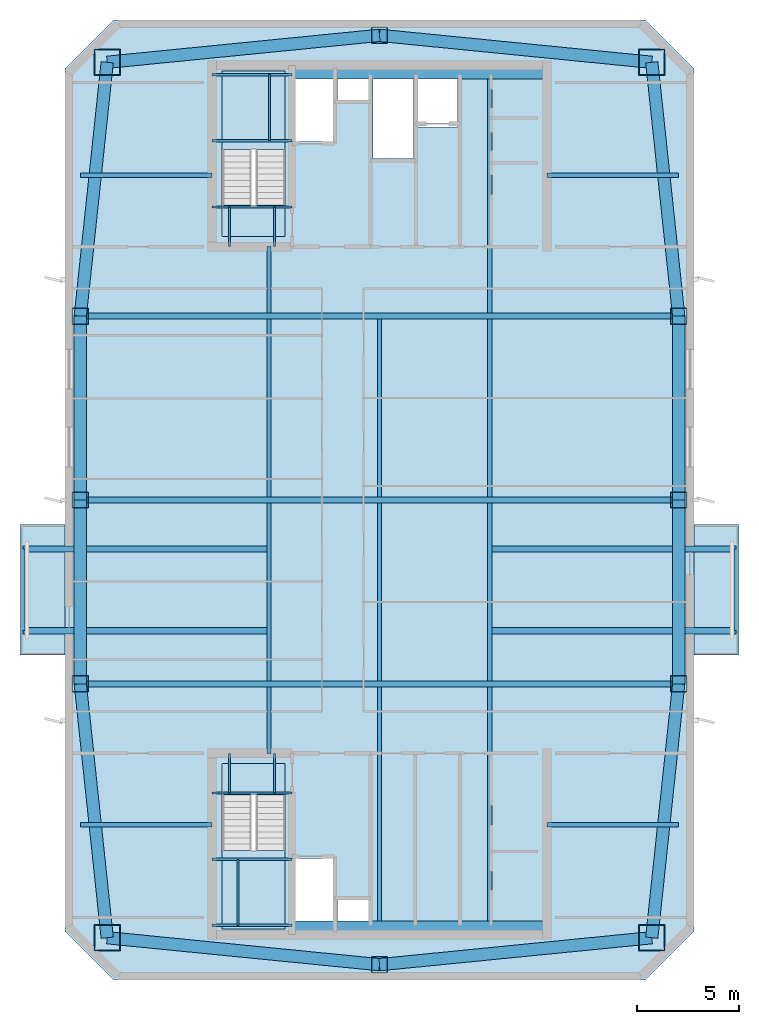
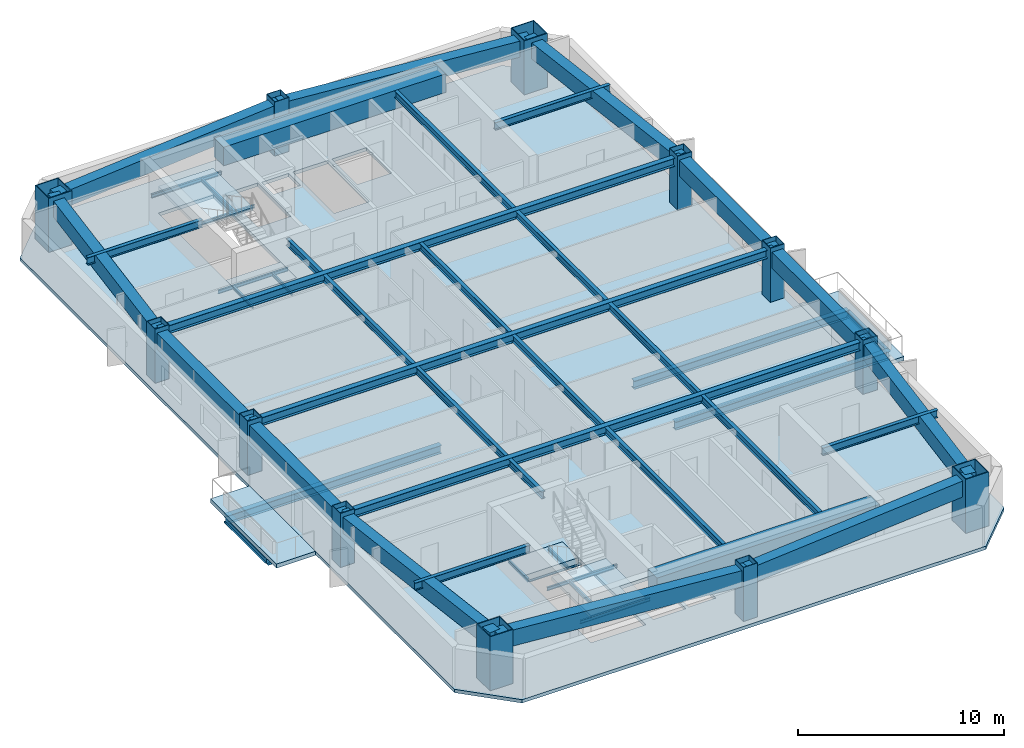
# One storey, part 1 of 7: 50 beams, 12 columns, 7 slabs, 2 elements without a shape of their own.
"""IFC4 building model written with IfcOpenShell, lengths in metres."""

from ifc_helpers import new_model, si_unit, direction, frame, origin, origin_2d, place, context, subcontext, project, spatial, polyline, rectangle, hollow_rectangle, i_section, outline, extrude, material, layer, layer_set, material_profile, profile_set, type_object, element, aggregate, save


model = new_model("IFC4")

# Units and contexts
model_context = context("Model", 3, precision=1e-05, world=origin(), true_north=direction((0.0, 1.0)))
body_context = subcontext(model_context, "Body", "Model", "MODEL_VIEW")
ifc_project = project(units=[si_unit("LENGTHUNIT", "METRE"), si_unit("AREAUNIT", "SQUARE_METRE"), si_unit("VOLUMEUNIT", "CUBIC_METRE"), si_unit("PLANEANGLEUNIT", "RADIAN"), si_unit("MASSUNIT", "GRAM", prefix="KILO")], contexts=[model_context])

# Site, building, storey
site_placement = place(None, origin())
site = spatial("IfcSite", under=ifc_project, at=site_placement, CompositionType="ELEMENT")
building_placement = place(site_placement, origin())
building = spatial("IfcBuilding", under=site, at=building_placement, Name="Qiaolan Cultural Towers", CompositionType="ELEMENT")
storey_placement = place(building_placement, frame((0.0, 0.0, 256.800048828125)))
storey = spatial("IfcBuildingStorey", under=building, at=storey_placement, Name="L70", CompositionType="ELEMENT", Elevation=256.800048828125)

# Columns
ifc_material_1 = material(Name="Steel Q390GJB", Category="steel")
ifc_material_profile_1 = material_profile(ifc_material_1, hollow_rectangle(XDim=1.300048828125, YDim=1.300048828125, WallThickness=0.044921875, at=origin_2d()), Name="BOX1300x1300x45")
ifc_profile_set_1 = profile_set([ifc_material_profile_1], Name="Steel Q390GJB")
column_type_1 = type_object("IfcColumnType", Name="COL-BOX1300x1300x45", PredefinedType="COLUMN", material=ifc_profile_set_1)
for number, where, z_axis, x_axis, name in (
    (1, (16.669921875, 12.570068359375, 0.0), (0.0, 0.0, 1.0), (1.0, 0.0, 0.0), "L70 T1 Perimeter Column MC-SW"),
    (2, (43.330078125, 12.570068359375, 0.0), (0.0, 0.0, 1.0), (1.0, 0.0, 0.0), "L70 T1 Perimeter Column MC-SE"),
    (3, (43.330078125, 55.429931640625, 0.0), (0.0, 0.0, 1.0), (1.0, 0.0, 0.0), "L70 T1 Perimeter Column MC-NE"),
    (4, (16.669921875, 55.429931640625, 0.0), (0.0, 0.0, 1.0), (1.0, 0.0, 0.0), "L70 T1 Perimeter Column MC-NW"),
):
    element("IfcColumn", number, at=place(storey_placement, frame(where, z_axis=z_axis, x_axis=x_axis)), inside=storey, type_object=column_type_1, Name=name, PredefinedType="COLUMN", context=body_context, shape_type="SweptSolid", body=[
        extrude(hollow_rectangle(XDim=1.300048828125, YDim=1.300048828125, WallThickness=0.044921875, at=origin_2d()), origin(), (0.0, 0.0, 1.0), 3.200927734375),
    ])
ifc_material_2 = material(Name="Steel Q355B", Category="steel")
ifc_material_profile_2 = material_profile(ifc_material_2, hollow_rectangle(XDim=0.800048828125, YDim=0.800048828125, WallThickness=0.028076171875, at=origin_2d()), Name="BOX800x800x28")
ifc_profile_set_2 = profile_set([ifc_material_profile_2], Name="Steel Q355B")
column_type_2 = type_object("IfcColumnType", Name="COL-BOX800x800x28", PredefinedType="COLUMN", material=ifc_profile_set_2)
for number, where, z_axis, x_axis, name in (
    (5, (15.35009765625, 25.0, 0.0), (0.0, 0.0, 1.0), (1.0, 0.0, 0.0), "L70 T1 Perimeter Column PC-W1"),
    (6, (15.35009765625, 34.0, 0.0), (0.0, 0.0, 1.0), (1.0, 0.0, 0.0), "L70 T1 Perimeter Column PC-W2"),
    (7, (15.35009765625, 43.0, 0.0), (0.0, 0.0, 1.0), (1.0, 0.0, 0.0), "L70 T1 Perimeter Column PC-W3"),
    (8, (44.64990234375, 25.0, 0.0), (0.0, 0.0, 1.0), (1.0, 0.0, 0.0), "L70 T1 Perimeter Column PC-E1"),
    (9, (44.64990234375, 34.0, 0.0), (0.0, 0.0, 1.0), (1.0, 0.0, 0.0), "L70 T1 Perimeter Column PC-E2"),
    (10, (44.64990234375, 43.0, 0.0), (0.0, 0.0, 1.0), (1.0, 0.0, 0.0), "L70 T1 Perimeter Column PC-E3"),
    (11, (30.0, 11.25, 0.0), (0.0, 0.0, 1.0), (1.0, 0.0, 0.0), "L70 T1 Perimeter Column PC-S0"),
    (12, (30.0, 56.75, 0.0), (0.0, 0.0, 1.0), (1.0, 0.0, 0.0), "L70 T1 Perimeter Column PC-N0"),
):
    element("IfcColumn", number, at=place(storey_placement, frame(where, z_axis=z_axis, x_axis=x_axis)), inside=storey, type_object=column_type_2, Name=name, PredefinedType="COLUMN", context=body_context, shape_type="SweptSolid", body=[
        extrude(hollow_rectangle(XDim=0.800048828125, YDim=0.800048828125, WallThickness=0.028076171875, at=origin_2d()), origin(), (0.0, 0.0, 1.0), 3.200927734375),
    ])

# Beams
ifc_material_3 = material(Name="Steel Q355B", Category="steel")
ifc_material_profile_3 = material_profile(ifc_material_3, i_section(OverallWidth=0.300048828125, OverallDepth=0.488037109375, WebThickness=0.010986328125, FlangeThickness=0.01806640625, at=origin_2d()), Name="HM488x300x11x18")
ifc_profile_set_3 = profile_set([ifc_material_profile_3], Name="Steel Q355B")
beam_type_1 = type_object("IfcBeamType", Name="BM-HM488x300x11x18", PredefinedType="BEAM", material=ifc_profile_set_3)
for number, where, z_axis, x_axis, name in (
    (13, (24.60009765625, 27.60009765625, -0.524169921875), (-1.0, 0.0, 0.0), (0.0, -1.0, 0.0), "L70 T1 Tree Balcony Back-Spanned Bracket Beam"),
    (14, (24.60009765625, 31.60009765625, -0.524169921875), (-1.0, 0.0, 0.0), (0.0, -1.0, 0.0), "L70 T1 Tree Balcony Back-Spanned Bracket Beam"),
    (15, (35.39990234375, 27.60009765625, -0.524169921875), (1.0, 0.0, 0.0), (0.0, 1.0, 0.0), "L70 T1 Tree Balcony Back-Spanned Bracket Beam"),
    (16, (35.39990234375, 31.60009765625, -0.524169921875), (1.0, 0.0, 0.0), (0.0, 1.0, 0.0), "L70 T1 Tree Balcony Back-Spanned Bracket Beam"),
):
    element("IfcBeam", number, at=place(storey_placement, frame(where, z_axis=z_axis, x_axis=x_axis)), inside=storey, type_object=beam_type_1, Name=name, PredefinedType="BEAM", context=body_context, shape_type="SweptSolid", body=[
        extrude(i_section(OverallWidth=0.300048828125, OverallDepth=0.488037109375, WebThickness=0.010986328125, FlangeThickness=0.01806640625, at=origin_2d()), origin(), (0.0, 0.0, 1.0), 12.050048828125),
    ])
for number, where, z_axis, x_axis, name in (
    (17, (15.35009765625, 25.0, 2.696044921875), (1.0, 0.0, 0.0), (0.0, 1.0, 0.0), "L70 T1 Primary Transverse Girder V1"),
    (18, (15.35009765625, 34.0, 2.696044921875), (1.0, 0.0, 0.0), (0.0, 1.0, 0.0), "L70 T1 Primary Transverse Girder V2"),
    (19, (15.35009765625, 43.0, 2.696044921875), (1.0, 0.0, 0.0), (0.0, 1.0, 0.0), "L70 T1 Primary Transverse Girder V3"),
):
    element("IfcBeam", number, at=place(storey_placement, frame(where, z_axis=z_axis, x_axis=x_axis)), inside=storey, type_object=beam_type_1, Name=name, PredefinedType="BEAM", context=body_context, shape_type="SweptSolid", body=[
        extrude(i_section(OverallWidth=0.300048828125, OverallDepth=0.488037109375, WebThickness=0.010986328125, FlangeThickness=0.01806640625, at=origin_2d()), origin(), (0.0, 0.0, 1.0), 29.2998046875),
    ])
ifc_material_4 = material(Name="Steel Q355B", Category="steel")
ifc_material_profile_4 = material_profile(ifc_material_4, i_section(OverallWidth=0.175048828125, OverallDepth=0.35009765625, WebThickness=0.007080078125, FlangeThickness=0.010986328125, at=origin_2d()), Name="HN350x175x7x11")
ifc_profile_set_4 = profile_set([ifc_material_profile_4], Name="Steel Q355B")
beam_type_2 = type_object("IfcBeamType", Name="BM-JST-HN350x175x7x11", PredefinedType="JOIST", material=ifc_profile_set_4)
for number, where, z_axis, x_axis, name in (
    (20, (12.550048828125, 27.60009765625, -0.524169921875), (0.0, 1.0, 0.0), (-1.0, 0.0, 0.0), "L70 T1 Tree Balcony Outer Edge Beam"),
    (21, (47.449951171875, 27.60009765625, -0.524169921875), (0.0, 1.0, 0.0), (-1.0, 0.0, 0.0), "L70 T1 Tree Balcony Outer Edge Beam"),
):
    element("IfcBeam", number, at=place(storey_placement, frame(where, z_axis=z_axis, x_axis=x_axis)), inside=storey, type_object=beam_type_2, Name=name, PredefinedType="JOIST", context=body_context, shape_type="SweptSolid", body=[
        extrude(i_section(OverallWidth=0.175048828125, OverallDepth=0.35009765625, WebThickness=0.007080078125, FlangeThickness=0.010986328125, at=origin_2d()), origin(), (0.0, 0.0, 1.0), 4.0),
    ])
ifc_material_5 = material(Name="Steel Q355B", Category="steel")
ifc_material_profile_5 = material_profile(ifc_material_5, i_section(OverallWidth=0.199951171875, OverallDepth=0.39990234375, WebThickness=0.008056640625, FlangeThickness=0.012939453125, at=origin_2d()), Name="HN400x200x8x13")
ifc_profile_set_5 = profile_set([ifc_material_profile_5], Name="Steel Q355B")
beam_type_3 = type_object("IfcBeamType", Name="BM-JST-HN400x200x8x13", PredefinedType="JOIST", material=ifc_profile_set_5)
beam_1_placement = place(storey_placement, frame((24.60009765625, 21.60009765625, 2.739990234375), z_axis=(0.0, 1.0, 0.0), x_axis=(-1.0, 0.0, 0.0)))
element("IfcBeam", 22, at=beam_1_placement, inside=storey, type_object=beam_type_3, Name="L70 T1 Secondary Floor Joist U1-1", PredefinedType="JOIST", context=body_context, shape_type="SweptSolid", body=[
    extrude(i_section(OverallWidth=0.199951171875, OverallDepth=0.39990234375, WebThickness=0.008056640625, FlangeThickness=0.012939453125, at=origin_2d()), origin(), (0.0, 0.0, 1.0), 3.25),
])
for number, where, z_axis, x_axis, name in (
    (23, (24.60009765625, 25.14990234375, 2.739990234375), (0.0, 1.0, 0.0), (-1.0, 0.0, 0.0), "L70 T1 Secondary Floor Joist U1-2"),
    (24, (24.60009765625, 34.14990234375, 2.739990234375), (0.0, 1.0, 0.0), (-1.0, 0.0, 0.0), "L70 T1 Secondary Floor Joist U1-3"),
):
    element("IfcBeam", number, at=place(storey_placement, frame(where, z_axis=z_axis, x_axis=x_axis)), inside=storey, type_object=beam_type_3, Name=name, PredefinedType="JOIST", context=body_context, shape_type="SweptSolid", body=[
        extrude(i_section(OverallWidth=0.199951171875, OverallDepth=0.39990234375, WebThickness=0.008056640625, FlangeThickness=0.012939453125, at=origin_2d()), origin(), (0.0, 0.0, 1.0), 8.7001953125),
    ])
beam_2_placement = place(storey_placement, frame((24.60009765625, 43.14990234375, 2.739990234375), z_axis=(0.0, 1.0, 0.0), x_axis=(-1.0, 0.0, 0.0)))
element("IfcBeam", 25, at=beam_2_placement, inside=storey, type_object=beam_type_3, Name="L70 T1 Secondary Floor Joist U1-4", PredefinedType="JOIST", context=body_context, shape_type="SweptSolid", body=[
    extrude(i_section(OverallWidth=0.199951171875, OverallDepth=0.39990234375, WebThickness=0.008056640625, FlangeThickness=0.012939453125, at=origin_2d()), origin(), (0.0, 0.0, 1.0), 3.25),
])
beam_3_placement = place(storey_placement, frame((30.0, 13.39990234375, 2.739990234375), z_axis=(0.0, 1.0, 0.0), x_axis=(-1.0, 0.0, 0.0)))
element("IfcBeam", 26, at=beam_3_placement, inside=storey, type_object=beam_type_3, Name="L70 T1 Secondary Floor Joist U2-1", PredefinedType="JOIST", context=body_context, shape_type="SweptSolid", body=[
    extrude(i_section(OverallWidth=0.199951171875, OverallDepth=0.39990234375, WebThickness=0.008056640625, FlangeThickness=0.012939453125, at=origin_2d()), origin(), (0.0, 0.0, 1.0), 11.4501953125),
])
for number, where, z_axis, x_axis, name in (
    (27, (30.0, 25.14990234375, 2.739990234375), (0.0, 1.0, 0.0), (-1.0, 0.0, 0.0), "L70 T1 Secondary Floor Joist U2-2"),
    (28, (30.0, 34.14990234375, 2.739990234375), (0.0, 1.0, 0.0), (-1.0, 0.0, 0.0), "L70 T1 Secondary Floor Joist U2-3"),
):
    element("IfcBeam", number, at=place(storey_placement, frame(where, z_axis=z_axis, x_axis=x_axis)), inside=storey, type_object=beam_type_3, Name=name, PredefinedType="JOIST", context=body_context, shape_type="SweptSolid", body=[
        extrude(i_section(OverallWidth=0.199951171875, OverallDepth=0.39990234375, WebThickness=0.008056640625, FlangeThickness=0.012939453125, at=origin_2d()), origin(), (0.0, 0.0, 1.0), 8.7001953125),
    ])
beam_4_placement = place(storey_placement, frame((35.39990234375, 13.39990234375, 2.739990234375), z_axis=(0.0, 1.0, 0.0), x_axis=(-1.0, 0.0, 0.0)))
element("IfcBeam", 29, at=beam_4_placement, inside=storey, type_object=beam_type_3, Name="L70 T1 Secondary Floor Joist U3-1", PredefinedType="JOIST", context=body_context, shape_type="SweptSolid", body=[
    extrude(i_section(OverallWidth=0.199951171875, OverallDepth=0.39990234375, WebThickness=0.008056640625, FlangeThickness=0.012939453125, at=origin_2d()), origin(), (0.0, 0.0, 1.0), 11.4501953125),
])
for number, where, z_axis, x_axis, name in (
    (30, (35.39990234375, 25.14990234375, 2.739990234375), (0.0, 1.0, 0.0), (-1.0, 0.0, 0.0), "L70 T1 Secondary Floor Joist U3-2"),
    (31, (35.39990234375, 34.14990234375, 2.739990234375), (0.0, 1.0, 0.0), (-1.0, 0.0, 0.0), "L70 T1 Secondary Floor Joist U3-3"),
):
    element("IfcBeam", number, at=place(storey_placement, frame(where, z_axis=z_axis, x_axis=x_axis)), inside=storey, type_object=beam_type_3, Name=name, PredefinedType="JOIST", context=body_context, shape_type="SweptSolid", body=[
        extrude(i_section(OverallWidth=0.199951171875, OverallDepth=0.39990234375, WebThickness=0.008056640625, FlangeThickness=0.012939453125, at=origin_2d()), origin(), (0.0, 0.0, 1.0), 8.7001953125),
    ])
beam_5_placement = place(storey_placement, frame((35.39990234375, 43.14990234375, 2.739990234375), z_axis=(0.0, 1.0, 0.0), x_axis=(-1.0, 0.0, 0.0)))
element("IfcBeam", 32, at=beam_5_placement, inside=storey, type_object=beam_type_3, Name="L70 T1 Secondary Floor Joist U3-4", PredefinedType="JOIST", context=body_context, shape_type="SweptSolid", body=[
    extrude(i_section(OverallWidth=0.199951171875, OverallDepth=0.39990234375, WebThickness=0.008056640625, FlangeThickness=0.012939453125, at=origin_2d()), origin(), (0.0, 0.0, 1.0), 11.4501953125),
])
ifc_material_6 = material(Name="Steel Q355B", Category="steel")
ifc_material_profile_6 = material_profile(ifc_material_6, i_section(OverallWidth=0.199951171875, OverallDepth=0.449951171875, WebThickness=0.009033203125, FlangeThickness=0.013916015625, at=origin_2d()), Name="HN450x200x9x14")
ifc_profile_set_6 = profile_set([ifc_material_profile_6], Name="Steel Q355B")
beam_type_4 = type_object("IfcBeamType", Name="BM-LNT-HN450x200x9x14", PredefinedType="LINTEL", material=ifc_profile_set_6)
for number, where, z_axis, x_axis, name in (
    (33, (21.800048828125, 18.10009765625, 2.71484375), (-1.0, 0.0, 0.0), (0.0, -1.0, 0.0), "L70 T1 Core Flank Tie Lintel WS"),
    (34, (21.800048828125, 49.89990234375, 2.71484375), (-1.0, 0.0, 0.0), (0.0, -1.0, 0.0), "L70 T1 Core Flank Tie Lintel WN"),
    (35, (38.199951171875, 18.10009765625, 2.71484375), (1.0, 0.0, 0.0), (0.0, 1.0, 0.0), "L70 T1 Core Flank Tie Lintel ES"),
    (36, (38.199951171875, 49.89990234375, 2.71484375), (1.0, 0.0, 0.0), (0.0, 1.0, 0.0), "L70 T1 Core Flank Tie Lintel EN"),
):
    element("IfcBeam", number, at=place(storey_placement, frame(where, z_axis=z_axis, x_axis=x_axis)), inside=storey, type_object=beam_type_4, Name=name, PredefinedType="LINTEL", context=body_context, shape_type="SweptSolid", body=[
        extrude(i_section(OverallWidth=0.199951171875, OverallDepth=0.449951171875, WebThickness=0.009033203125, FlangeThickness=0.013916015625, at=origin_2d()), origin(), (0.0, 0.0, 1.0), 6.449951171875),
    ])
ifc_material_7 = material(Name="Concrete C50", Category="concrete")
ifc_material_profile_7 = material_profile(ifc_material_7, rectangle(XDim=0.89990234375, YDim=1.10009765625, at=origin_2d()), Name="RC900x1100")
ifc_profile_set_7 = profile_set([ifc_material_profile_7], Name="Concrete C50")
beam_type_5 = type_object("IfcBeamType", Name="BM-RC900x1100", PredefinedType="BEAM", material=ifc_profile_set_7)
for number, where, z_axis, x_axis, name in (
    (37, (25.719970703125, 12.949951171875, 2.389892578125), (1.0, 0.0, 0.0), (0.0, 1.0, 0.0), "L70 T1 Core Header Girder S"),
    (38, (25.719970703125, 55.050048828125, 2.389892578125), (1.0, 0.0, 0.0), (0.0, 1.0, 0.0), "L70 T1 Core Header Girder N"),
):
    element("IfcBeam", number, at=place(storey_placement, frame(where, z_axis=z_axis, x_axis=x_axis)), inside=storey, type_object=beam_type_5, Name=name, PredefinedType="BEAM", context=body_context, shape_type="SweptSolid", body=[
        extrude(rectangle(XDim=0.89990234375, YDim=1.10009765625, at=origin_2d()), origin(), (0.0, 0.0, 1.0), 12.47998046875),
    ])
ifc_material_8 = material(Name="Concrete C50", Category="concrete")
ifc_material_profile_8 = material_profile(ifc_material_8, rectangle(XDim=0.60009765625, YDim=0.949951171875, at=origin_2d()), Name="RC600x950")
ifc_profile_set_8 = profile_set([ifc_material_profile_8], Name="Concrete C50")
beam_type_6 = type_object("IfcBeamType", Name="BM-SPD-RC600x950", PredefinedType="SPANDREL", material=ifc_profile_set_8)
for number, where, z_axis, x_axis, name in (
    (39, (16.669921875, 12.570068359375, 2.46484375), (0.995132371263, -0.098547266143, 0.0), (0.098547266143, 0.995132371263, 0.0), "L70 T1 Perimeter Spandrel Beam 1"),
    (40, (30.0, 11.25, 2.46484375), (0.995132371263, 0.098547266143, 0.0), (-0.098547266143, 0.995132371263, 0.0), "L70 T1 Perimeter Spandrel Beam 2"),
):
    element("IfcBeam", number, at=place(storey_placement, frame(where, z_axis=z_axis, x_axis=x_axis)), inside=storey, type_object=beam_type_6, Name=name, PredefinedType="SPANDREL", context=body_context, shape_type="SweptSolid", body=[
        extrude(rectangle(XDim=0.60009765625, YDim=0.949951171875, at=origin_2d()), origin(), (0.0, 0.0, 1.0), 13.395263671875),
    ])
beam_6_placement = place(storey_placement, frame((43.330078125, 12.570068359375, 2.46484375), z_axis=(0.105587580773, 0.994410007384, 0.0), x_axis=(-0.994410007384, 0.105587580773, 0.0)))
element("IfcBeam", 41, at=beam_6_placement, inside=storey, type_object=beam_type_6, Name="L70 T1 Perimeter Spandrel Beam 3", PredefinedType="SPANDREL", context=body_context, shape_type="SweptSolid", body=[
    extrude(rectangle(XDim=0.60009765625, YDim=0.949951171875, at=origin_2d()), origin(), (0.0, 0.0, 1.0), 12.499755859375),
])
for number, where, z_axis, x_axis, name in (
    (42, (44.64990234375, 25.0, 2.46484375), (0.0, 1.0, 0.0), (-1.0, 0.0, 0.0), "L70 T1 Perimeter Spandrel Beam 4"),
    (43, (44.64990234375, 34.0, 2.46484375), (0.0, 1.0, 0.0), (-1.0, 0.0, 0.0), "L70 T1 Perimeter Spandrel Beam 5"),
):
    element("IfcBeam", number, at=place(storey_placement, frame(where, z_axis=z_axis, x_axis=x_axis)), inside=storey, type_object=beam_type_6, Name=name, PredefinedType="SPANDREL", context=body_context, shape_type="SweptSolid", body=[
        extrude(rectangle(XDim=0.60009765625, YDim=0.949951171875, at=origin_2d()), origin(), (0.0, 0.0, 1.0), 9.0),
    ])
beam_7_placement = place(storey_placement, frame((44.64990234375, 43.0, 2.46484375), z_axis=(-0.105587580773, 0.994410007384, 0.0), x_axis=(-0.994410007384, -0.105587580773, 0.0)))
element("IfcBeam", 44, at=beam_7_placement, inside=storey, type_object=beam_type_6, Name="L70 T1 Perimeter Spandrel Beam 6", PredefinedType="SPANDREL", context=body_context, shape_type="SweptSolid", body=[
    extrude(rectangle(XDim=0.60009765625, YDim=0.949951171875, at=origin_2d()), origin(), (0.0, 0.0, 1.0), 12.499755859375),
])
for number, where, z_axis, x_axis, name in (
    (45, (43.330078125, 55.429931640625, 2.46484375), (-0.995132371263, 0.098547266143, 0.0), (-0.098547266143, -0.995132371263, 0.0), "L70 T1 Perimeter Spandrel Beam 7"),
    (46, (30.0, 56.75, 2.46484375), (-0.995132371263, -0.098547266143, 0.0), (0.098547266143, -0.995132371263, 0.0), "L70 T1 Perimeter Spandrel Beam 8"),
):
    element("IfcBeam", number, at=place(storey_placement, frame(where, z_axis=z_axis, x_axis=x_axis)), inside=storey, type_object=beam_type_6, Name=name, PredefinedType="SPANDREL", context=body_context, shape_type="SweptSolid", body=[
        extrude(rectangle(XDim=0.60009765625, YDim=0.949951171875, at=origin_2d()), origin(), (0.0, 0.0, 1.0), 13.395263671875),
    ])
beam_8_placement = place(storey_placement, frame((16.669921875, 55.429931640625, 2.46484375), z_axis=(-0.105587580773, -0.994410007384, 0.0), x_axis=(0.994410007384, -0.105587580773, 0.0)))
element("IfcBeam", 47, at=beam_8_placement, inside=storey, type_object=beam_type_6, Name="L70 T1 Perimeter Spandrel Beam 9", PredefinedType="SPANDREL", context=body_context, shape_type="SweptSolid", body=[
    extrude(rectangle(XDim=0.60009765625, YDim=0.949951171875, at=origin_2d()), origin(), (0.0, 0.0, 1.0), 12.499755859375),
])
for number, where, z_axis, x_axis, name in (
    (48, (15.35009765625, 43.0, 2.46484375), (0.0, -1.0, 0.0), (1.0, 0.0, 0.0), "L70 T1 Perimeter Spandrel Beam 10"),
    (49, (15.35009765625, 34.0, 2.46484375), (0.0, -1.0, 0.0), (1.0, 0.0, 0.0), "L70 T1 Perimeter Spandrel Beam 11"),
):
    element("IfcBeam", number, at=place(storey_placement, frame(where, z_axis=z_axis, x_axis=x_axis)), inside=storey, type_object=beam_type_6, Name=name, PredefinedType="SPANDREL", context=body_context, shape_type="SweptSolid", body=[
        extrude(rectangle(XDim=0.60009765625, YDim=0.949951171875, at=origin_2d()), origin(), (0.0, 0.0, 1.0), 9.0),
    ])
beam_9_placement = place(storey_placement, frame((15.35009765625, 25.0, 2.46484375), z_axis=(0.105587580773, -0.994410007384, 0.0), x_axis=(0.994410007384, 0.105587580773, 0.0)))
element("IfcBeam", 50, at=beam_9_placement, inside=storey, type_object=beam_type_6, Name="L70 T1 Perimeter Spandrel Beam 12", PredefinedType="SPANDREL", context=body_context, shape_type="SweptSolid", body=[
    extrude(rectangle(XDim=0.60009765625, YDim=0.949951171875, at=origin_2d()), origin(), (0.0, 0.0, 1.0), 12.499755859375),
])
ifc_material_9 = material(Name="Steel Q355B", Category="steel")
ifc_material_profile_9 = material_profile(ifc_material_9, i_section(OverallWidth=0.10009765625, OverallDepth=0.199951171875, WebThickness=0.005615234375, FlangeThickness=0.008056640625, at=origin_2d()), Name="HN200x100x5.5x8")
ifc_profile_set_9 = profile_set([ifc_material_profile_9], Name="Steel Q355B")
beam_type_7 = type_object("IfcBeamType", Name="BM-STTRIM-200", PredefinedType="BEAM", material=ifc_profile_set_9)
beam_10_placement = place(storey_placement, frame((21.800048828125, 19.659912109375, -0.4599609375), z_axis=(1.0, 0.0, 0.0), x_axis=(0.0, 1.0, 0.0)))
element("IfcBeam", 51, at=beam_10_placement, inside=storey, type_object=beam_type_7, Name="L70 ST-W1 Floor Landing Header Beam", PredefinedType="BEAM", context=body_context, shape_type="SweptSolid", body=[
    extrude(i_section(OverallWidth=0.10009765625, OverallDepth=0.199951171875, WebThickness=0.005615234375, FlangeThickness=0.008056640625, at=origin_2d()), origin(), (0.0, 0.0, 1.0), 3.919921875),
])
for number, where, z_axis, x_axis, name in (
    (52, (22.64990234375, 21.60009765625, -0.4599609375), (0.0, -1.0, 0.0), (1.0, 0.0, 0.0), "L70 ST-W1 Floor Landing Stringer 1"),
    (53, (24.85009765625, 21.60009765625, -0.4599609375), (0.0, -1.0, 0.0), (1.0, 0.0, 0.0), "L70 ST-W1 Floor Landing Stringer 2"),
):
    element("IfcBeam", number, at=place(storey_placement, frame(where, z_axis=z_axis, x_axis=x_axis)), inside=storey, type_object=beam_type_7, Name=name, PredefinedType="BEAM", context=body_context, shape_type="SweptSolid", body=[
        extrude(i_section(OverallWidth=0.10009765625, OverallDepth=0.199951171875, WebThickness=0.005615234375, FlangeThickness=0.008056640625, at=origin_2d()), origin(), (0.0, 0.0, 1.0), 1.940185546875),
    ])
for number, where, z_axis, x_axis, name in (
    (54, (21.800048828125, 16.411376953125, 1.300048828125), (1.0, 0.0, 0.0), (0.0, 1.0, 0.0), "L70 ST-W1 Stair Landing Support Beam 1-1"),
    (55, (21.800048828125, 13.179931640625, 1.300048828125), (1.0, 0.0, 0.0), (0.0, 1.0, 0.0), "L70 ST-W1 Stair Landing Support Beam 1-2"),
):
    element("IfcBeam", number, at=place(storey_placement, frame(where, z_axis=z_axis, x_axis=x_axis)), inside=storey, type_object=beam_type_7, Name=name, PredefinedType="BEAM", context=body_context, shape_type="SweptSolid", body=[
        extrude(i_section(OverallWidth=0.10009765625, OverallDepth=0.199951171875, WebThickness=0.005615234375, FlangeThickness=0.008056640625, at=origin_2d()), origin(), (0.0, 0.0, 1.0), 3.919921875),
    ])
beam_11_placement = place(storey_placement, frame((23.070068359375, 16.411376953125, 1.300048828125), z_axis=(0.0, -1.0, 0.0), x_axis=(1.0, 0.0, 0.0)))
element("IfcBeam", 56, at=beam_11_placement, inside=storey, type_object=beam_type_7, Name="L70 ST-W1 Stair Landing Trimmer 1", PredefinedType="BEAM", context=body_context, shape_type="SweptSolid", body=[
    extrude(i_section(OverallWidth=0.10009765625, OverallDepth=0.199951171875, WebThickness=0.005615234375, FlangeThickness=0.008056640625, at=origin_2d()), origin(), (0.0, 0.0, 1.0), 3.2314453125),
])
beam_12_placement = place(storey_placement, frame((21.800048828125, 48.340087890625, -0.4599609375), z_axis=(1.0, 0.0, 0.0), x_axis=(0.0, 1.0, 0.0)))
element("IfcBeam", 57, at=beam_12_placement, inside=storey, type_object=beam_type_7, Name="L70 ST-W2 Floor Landing Header Beam", PredefinedType="BEAM", context=body_context, shape_type="SweptSolid", body=[
    extrude(i_section(OverallWidth=0.10009765625, OverallDepth=0.199951171875, WebThickness=0.005615234375, FlangeThickness=0.008056640625, at=origin_2d()), origin(), (0.0, 0.0, 1.0), 3.919921875),
])
for number, where, z_axis, x_axis, name in (
    (58, (22.64990234375, 46.39990234375, -0.4599609375), (0.0, 1.0, 0.0), (-1.0, 0.0, 0.0), "L70 ST-W2 Floor Landing Stringer 1"),
    (59, (24.85009765625, 46.39990234375, -0.4599609375), (0.0, 1.0, 0.0), (-1.0, 0.0, 0.0), "L70 ST-W2 Floor Landing Stringer 2"),
):
    element("IfcBeam", number, at=place(storey_placement, frame(where, z_axis=z_axis, x_axis=x_axis)), inside=storey, type_object=beam_type_7, Name=name, PredefinedType="BEAM", context=body_context, shape_type="SweptSolid", body=[
        extrude(i_section(OverallWidth=0.10009765625, OverallDepth=0.199951171875, WebThickness=0.005615234375, FlangeThickness=0.008056640625, at=origin_2d()), origin(), (0.0, 0.0, 1.0), 1.940185546875),
    ])
for number, where, z_axis, x_axis, name in (
    (60, (21.800048828125, 51.588623046875, 1.300048828125), (1.0, 0.0, 0.0), (0.0, 1.0, 0.0), "L70 ST-W2 Stair Landing Support Beam 1-1"),
    (61, (21.800048828125, 54.820068359375, 1.300048828125), (1.0, 0.0, 0.0), (0.0, 1.0, 0.0), "L70 ST-W2 Stair Landing Support Beam 1-2"),
):
    element("IfcBeam", number, at=place(storey_placement, frame(where, z_axis=z_axis, x_axis=x_axis)), inside=storey, type_object=beam_type_7, Name=name, PredefinedType="BEAM", context=body_context, shape_type="SweptSolid", body=[
        extrude(i_section(OverallWidth=0.10009765625, OverallDepth=0.199951171875, WebThickness=0.005615234375, FlangeThickness=0.008056640625, at=origin_2d()), origin(), (0.0, 0.0, 1.0), 3.919921875),
    ])
beam_13_placement = place(storey_placement, frame((24.610107421875, 51.588623046875, 1.300048828125), z_axis=(0.0, 1.0, 0.0), x_axis=(-1.0, 0.0, 0.0)))
element("IfcBeam", 62, at=beam_13_placement, inside=storey, type_object=beam_type_7, Name="L70 ST-W2 Stair Landing Trimmer 1", PredefinedType="BEAM", context=body_context, shape_type="SweptSolid", body=[
    extrude(i_section(OverallWidth=0.10009765625, OverallDepth=0.199951171875, WebThickness=0.005615234375, FlangeThickness=0.008056640625, at=origin_2d()), origin(), (0.0, 0.0, 1.0), 3.2314453125),
])

# Slabs
ifc_material_10 = material(Name="Concrete C45", Category="concrete")
ifc_layer_1 = layer(ifc_material_10, 0.239990234375)
ifc_layer_set_1 = layer_set([ifc_layer_1], Name="Concrete C45")
slab_type_1 = type_object("IfcSlabType", Name="SL-BAL-240", PredefinedType="FLOOR", material=ifc_layer_set_1)
slab_1_placement = place(storey_placement, frame((0.0, 0.0, -0.239990234375)))
element("IfcSlab", 63, at=slab_1_placement, inside=storey, type_object=slab_type_1, Name="L70 T1 Planted Tree Balcony W", PredefinedType="FLOOR", context=body_context, shape_type="SweptSolid", body=[
    extrude(outline(polyline([(12.39990234375, 26.39990234375), (14.60009765625, 26.39990234375), (14.60009765625, 32.800048828125), (12.39990234375, 32.800048828125), (12.39990234375, 26.39990234375)])), origin(), (0.0, 0.0, 1.0), 0.239990234375),
])
slab_2_placement = place(storey_placement, frame((0.0, 0.0, -0.239990234375)))
element("IfcSlab", 64, at=slab_2_placement, inside=storey, type_object=slab_type_1, Name="L70 T1 Planted Tree Balcony E", PredefinedType="FLOOR", context=body_context, shape_type="SweptSolid", body=[
    extrude(outline(polyline([(45.39990234375, 26.39990234375), (47.60009765625, 26.39990234375), (47.60009765625, 32.800048828125), (45.39990234375, 32.800048828125), (45.39990234375, 26.39990234375)])), origin(), (0.0, 0.0, 1.0), 0.239990234375),
])
ifc_material_11 = material(Name="Concrete C45", Category="concrete")
ifc_layer_2 = layer(ifc_material_11, 0.199951171875)
ifc_layer_set_2 = layer_set([ifc_layer_2], Name="Concrete C45")
slab_type_2 = type_object("IfcSlabType", Name="SL-HI-200", PredefinedType="FLOOR", material=ifc_layer_set_2)
slab_3_placement = place(storey_placement, frame((0.0, 0.0, -0.199951171875)))
element("IfcSlab", 65, at=slab_3_placement, inside=storey, type_object=slab_type_2, Name="L70 West Tower Floor Slab", PredefinedType="FLOOR", context=body_context, shape_type="SweptSolid", body=[
    extrude(outline(polyline([(17.0, 10.5), (43.0, 10.5), (45.39990234375, 12.89990234375), (45.39990234375, 55.10009765625), (43.0, 57.5), (17.0, 57.5), (14.60009765625, 55.10009765625), (14.60009765625, 12.89990234375), (17.0, 10.5)]), holes=[polyline([(22.300048828125, 21.10009765625), (22.300048828125, 13.0), (25.3798828125, 13.0), (25.3798828125, 21.10009765625), (22.300048828125, 21.10009765625)]), polyline([(25.3798828125, 46.89990234375), (25.3798828125, 55.0), (22.300048828125, 55.0), (22.300048828125, 46.89990234375), (25.3798828125, 46.89990234375)]), polyline([(25.89990234375, 13.199951171875), (27.75, 13.199951171875), (27.75, 16.449951171875), (25.89990234375, 16.449951171875), (25.89990234375, 13.199951171875)]), polyline([(27.93994140625, 13.25), (29.449951171875, 13.25), (29.449951171875, 14.419921875), (27.93994140625, 14.419921875), (27.93994140625, 13.25)]), polyline([(25.89990234375, 51.550048828125), (27.75, 51.550048828125), (27.75, 54.800048828125), (25.89990234375, 54.800048828125), (25.89990234375, 51.550048828125)]), polyline([(27.93994140625, 53.580078125), (29.449951171875, 53.580078125), (29.449951171875, 54.75), (27.93994140625, 54.75), (27.93994140625, 53.580078125)]), polyline([(31.8798828125, 52.27001953125), (33.820068359375, 52.27001953125), (33.820068359375, 54.75), (31.8798828125, 54.75), (31.8798828125, 52.27001953125)]), polyline([(29.679931640625, 50.719970703125), (31.659912109375, 50.719970703125), (31.659912109375, 54.75), (29.679931640625, 54.75), (29.679931640625, 50.719970703125)])]), origin(), (0.0, 0.0, 1.0), 0.199951171875),
])

# Stair, slab
ifc_material_12 = material(Name="Concrete C45", Category="concrete")
stair_type = type_object("IfcStairType", Name="STR-CORE-1500", PredefinedType="HALF_TURN_STAIR", material=ifc_material_12)
stair_1_placement = place(storey_placement, origin())
stair_1 = element("IfcStair", 66, at=stair_1_placement, inside=storey, type_object=stair_type, Name="L70 Smokeproof Exit Stair ST-W1", PredefinedType="HALF_TURN_STAIR")
ifc_material_13 = material(Name="Concrete C45", Category="concrete")
ifc_layer_3 = layer(ifc_material_13, 0.199951171875)
ifc_layer_set_3 = layer_set([ifc_layer_3], Name="Concrete C45")
slab_type_3 = type_object("IfcSlabType", Name="SL-STAIR-LAND", PredefinedType="LANDING", material=ifc_layer_set_3)
slab_4_placement = place(storey_placement, frame((0.0, 0.0, 1.39990234375)))
slab_4 = element("IfcSlab", 67, at=slab_4_placement, type_object=slab_type_3, Name="ST-W1 landing 1", PredefinedType="LANDING", context=body_context, shape_type="SweptSolid", body=[
    extrude(outline(polyline([(22.300048828125, 16.851318359375), (22.300048828125, 13.0), (25.3798828125, 13.0), (25.3798828125, 16.851318359375), (22.300048828125, 16.851318359375)])), origin(), (0.0, 0.0, 1.0), 0.199951171875),
])
aggregate(stair_1, [slab_4])

stair_2_placement = place(storey_placement, origin())
stair_2 = element("IfcStair", 68, at=stair_2_placement, inside=storey, type_object=stair_type, Name="L70 Smokeproof Exit Stair ST-W2", PredefinedType="HALF_TURN_STAIR")
slab_5_placement = place(storey_placement, frame((0.0, 0.0, 1.39990234375)))
slab_5 = element("IfcSlab", 69, at=slab_5_placement, type_object=slab_type_3, Name="ST-W2 landing 1", PredefinedType="LANDING", context=body_context, shape_type="SweptSolid", body=[
    extrude(outline(polyline([(25.3798828125, 51.148681640625), (25.3798828125, 55.0), (22.300048828125, 55.0), (22.300048828125, 51.148681640625), (25.3798828125, 51.148681640625)])), origin(), (0.0, 0.0, 1.0), 0.199951171875),
])
aggregate(stair_2, [slab_5])

# Slabs
ifc_material_14 = material(Name="Concrete C40", Category="concrete")
ifc_layer_4 = layer(ifc_material_14, 0.360107421875)
ifc_layer_set_4 = layer_set([ifc_layer_4], Name="Concrete C40")
slab_type_4 = type_object("IfcSlabType", Name="SL-STFLR-360", PredefinedType="LANDING", material=ifc_layer_set_4)
slab_6_placement = place(storey_placement, frame((0.0, 0.0, -0.360107421875)))
element("IfcSlab", 70, at=slab_6_placement, inside=storey, type_object=slab_type_4, Name="L70 ST-W1 Stair Floor Landing Slab", PredefinedType="LANDING", context=body_context, shape_type="SweptSolid", body=[
    extrude(outline(polyline([(22.302001953125, 21.097900390625), (22.302001953125, 19.548583984375), (25.3779296875, 19.548583984375), (25.3779296875, 21.097900390625), (22.302001953125, 21.097900390625)])), origin(), (0.0, 0.0, 1.0), 0.360107421875),
])
slab_7_placement = place(storey_placement, frame((0.0, 0.0, -0.360107421875)))
element("IfcSlab", 71, at=slab_7_placement, inside=storey, type_object=slab_type_4, Name="L70 ST-W2 Stair Floor Landing Slab", PredefinedType="LANDING", context=body_context, shape_type="SweptSolid", body=[
    extrude(outline(polyline([(25.3779296875, 46.902099609375), (25.3779296875, 48.451416015625), (22.302001953125, 48.451416015625), (22.302001953125, 46.902099609375), (25.3779296875, 46.902099609375)])), origin(), (0.0, 0.0, 1.0), 0.360107421875),
])

save(model, "model.ifc")
